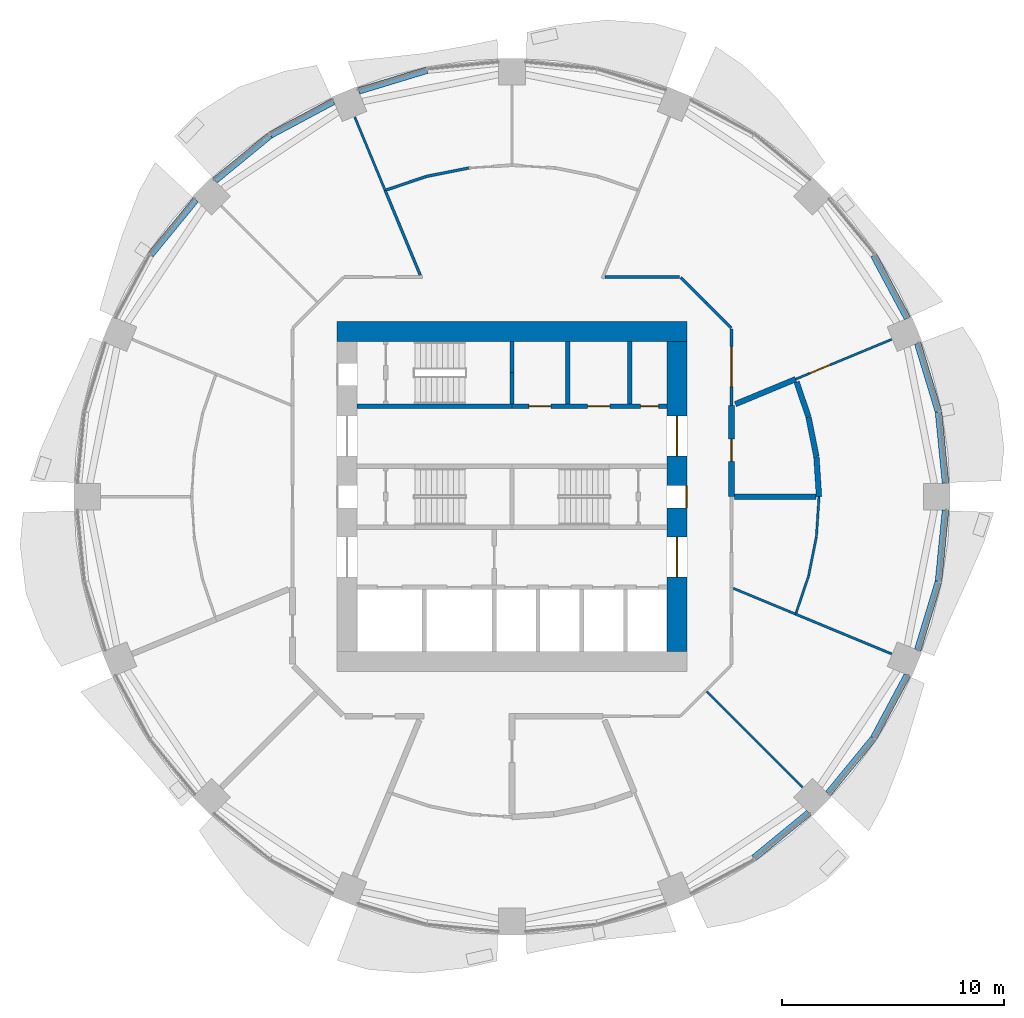
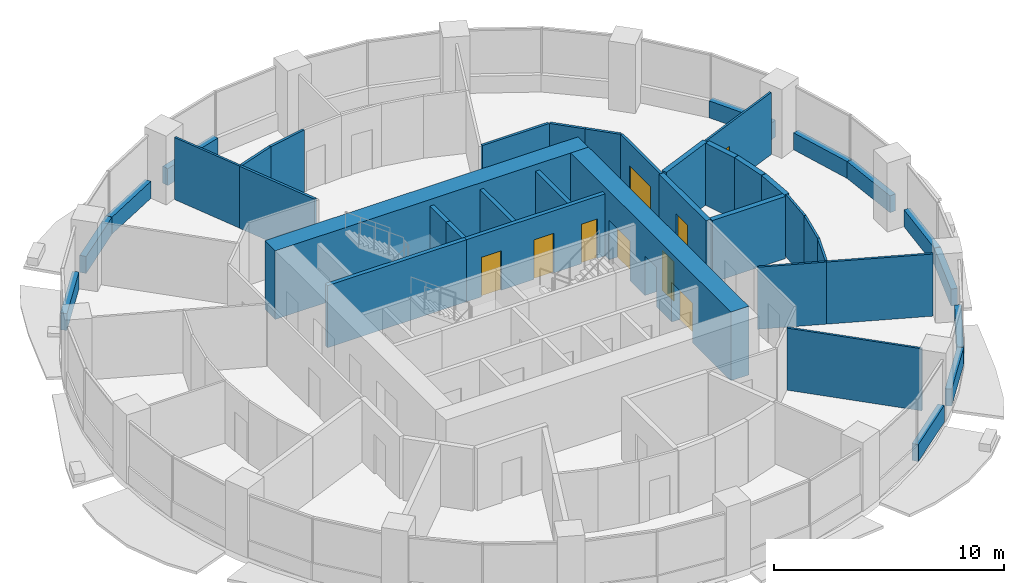
# One storey, part 10 of 15: 41 walls, 9 doors, 9 openings.
"""IFC4 building model written with IfcOpenShell, lengths in metres."""

from ifc_helpers import new_model, si_unit, direction, frame, frame_2d, origin, place, context, subcontext, project, spatial, rectangle, extrude, material, layer, layer_set, type_object, element, fill, save


model = new_model("IFC4")

# Units and contexts
model_context = context("Model", 3, precision=1e-05, world=origin(), true_north=direction((0.0, 1.0)))
body_context = subcontext(model_context, "Body", "Model", "MODEL_VIEW")
ifc_project = project(units=[si_unit("LENGTHUNIT", "METRE"), si_unit("AREAUNIT", "SQUARE_METRE"), si_unit("VOLUMEUNIT", "CUBIC_METRE"), si_unit("PLANEANGLEUNIT", "RADIAN"), si_unit("MASSUNIT", "GRAM", prefix="KILO")], contexts=[model_context])

# Site, building, storey
site_placement = place(None, origin())
site = spatial("IfcSite", under=ifc_project, at=site_placement, CompositionType="ELEMENT")
building_placement = place(site_placement, origin())
building = spatial("IfcBuilding", under=site, at=building_placement, Name="Polderwave Tower", CompositionType="ELEMENT")
storey_placement = place(building_placement, frame((0.0, 0.0, 44.449951171875)))
storey = spatial("IfcBuildingStorey", under=building, at=storey_placement, Name="L11", CompositionType="ELEMENT", Elevation=44.449951171875)

# Wall
ifc_material_1 = material(Name="Concrete C80/95", Category="concrete")
ifc_layer_1 = layer(ifc_material_1, 0.89990234375)
ifc_layer_set_1 = layer_set([ifc_layer_1], Name="CORE WALL 900 C80/95")
wall_type_1 = type_object("IfcWallType", Name="CORE WALL 900 C80/95", PredefinedType="SHEAR", material=ifc_layer_set_1)
wall_1_placement = place(storey_placement, frame((-7.8740234375, 7.424072265625, 0.0), z_axis=(0.0, 0.0, 1.0), x_axis=(1.0, 0.0, 0.0)))
element("IfcWall", 1, at=wall_1_placement, inside=storey, type_object=wall_type_1, Name="ST-CORE-L11-N", PredefinedType="SHEAR", context=body_context, shape_type="SweptSolid", body=[
    extrude(rectangle(XDim=15.748046875, YDim=0.89990234375, at=frame_2d((7.8740234375, 0.0))), origin(), (0.0, 0.0, 1.0), 3.650146484375),
])

# Wall, openings, doors
wall_2_placement = place(storey_placement, frame((7.424072265625, -6.97412109375, 0.0), z_axis=(0.0, 0.0, 1.0), x_axis=(0.0, 1.0, 0.0)))
wall_2 = element("IfcWall", 2, at=wall_2_placement, inside=storey, type_object=wall_type_1, Name="ST-CORE-L11-E", PredefinedType="SHEAR", context=body_context, shape_type="SweptSolid", body=[
    extrude(rectangle(XDim=13.9482421875, YDim=0.89990234375, at=frame_2d((6.97412109375, 0.0))), origin(), (0.0, 0.0, 1.0), 3.650146484375),
])
opening_1_placement = place(wall_2_placement, frame((6.47412109375, 0.0, 0.0)))
opening_1 = element("IfcOpeningElement", 3, at=opening_1_placement, cuts=wall_2, Name="Opening L11-D21", PredefinedType="OPENING", context=body_context, shape_type="SweptSolid", body=[
    extrude(rectangle(XDim=1.0, YDim=2.10009765625, at=frame_2d((0.5, 1.050048828125))), frame((0.0, 0.4599609375, 0.0), z_axis=(0.0, -1.0, 0.0), x_axis=(1.0, 0.0, 0.0)), (0.0, 0.0, 1.0), 0.919921875),
])
opening_2_placement = place(wall_2_placement, frame((3.349609375, 0.0, 0.0)))
opening_2 = element("IfcOpeningElement", 4, at=opening_2_placement, cuts=wall_2, Name="Opening L11-D22", PredefinedType="OPENING", context=body_context, shape_type="SweptSolid", body=[
    extrude(rectangle(XDim=1.800048828125, YDim=2.10009765625, at=frame_2d((0.89990234375, 1.050048828125))), frame((0.0, 0.4599609375, 0.0), z_axis=(0.0, -1.0, 0.0), x_axis=(1.0, 0.0, 0.0)), (0.0, 0.0, 1.0), 0.919921875),
])
opening_3_placement = place(wall_2_placement, frame((8.798583984375, 0.0, 0.0)))
opening_3 = element("IfcOpeningElement", 5, at=opening_3_placement, cuts=wall_2, Name="Opening L11-D23", PredefinedType="OPENING", context=body_context, shape_type="SweptSolid", body=[
    extrude(rectangle(XDim=1.800048828125, YDim=2.10009765625, at=frame_2d((0.89990234375, 1.050048828125))), frame((0.0, 0.4599609375, 0.0), z_axis=(0.0, -1.0, 0.0), x_axis=(1.0, 0.0, 0.0)), (0.0, 0.0, 1.0), 0.919921875),
])
ifc_material_2 = material(Name="Steel fire door", Category="steel")
door_type_1 = type_object("IfcDoorType", Name="Lobby entry door pair 1800", OperationType="DOUBLE_DOOR_SINGLE_SWING", PredefinedType="DOOR", material=ifc_material_2)
door_1_placement = place(opening_2_placement, frame((1.800048828125, 0.0, 0.0), z_axis=(0.0, 0.0, 1.0), x_axis=(-1.0, 0.0, 0.0)))
door_1 = element("IfcDoor", 6, at=door_1_placement, inside=storey, type_object=door_type_1, Name="South lobby entry door", OperationType="DOUBLE_DOOR_SINGLE_SWING", OverallHeight=2.10009765625, OverallWidth=1.800048828125, PredefinedType="DOOR", context=body_context, shape_type="SweptSolid", body=[
    extrude(rectangle(XDim=1.800048828125, YDim=2.10009765625, at=frame_2d((0.89990234375, 1.050048828125))), frame((0.0, 0.02490234375, 0.0), z_axis=(0.0, -1.0, 0.0), x_axis=(1.0, 0.0, 0.0)), (0.0, 0.0, 1.0), 0.050048828125),
])
fill(opening_2, door_1)
door_2_placement = place(opening_3_placement, frame((1.800048828125, 0.0, 0.0), z_axis=(0.0, 0.0, 1.0), x_axis=(-1.0, 0.0, 0.0)))
door_2 = element("IfcDoor", 7, at=door_2_placement, inside=storey, type_object=door_type_1, Name="North lobby entry door", OperationType="DOUBLE_DOOR_SINGLE_SWING", OverallHeight=2.10009765625, OverallWidth=1.800048828125, PredefinedType="DOOR", context=body_context, shape_type="SweptSolid", body=[
    extrude(rectangle(XDim=1.800048828125, YDim=2.10009765625, at=frame_2d((0.89990234375, 1.050048828125))), frame((0.0, 0.02490234375, 0.0), z_axis=(0.0, -1.0, 0.0), x_axis=(1.0, 0.0, 0.0)), (0.0, 0.0, 1.0), 0.050048828125),
])
fill(opening_3, door_2)
door_type_2 = type_object("IfcDoorType", Name="Stair door 1000", OperationType="NOTDEFINED", PredefinedType="DOOR", material=ifc_material_2)
door_3_placement = place(opening_1_placement, frame((1.0, 0.0, 0.0), z_axis=(0.0, 0.0, 1.0), x_axis=(-1.0, 0.0, 0.0)))
door_3 = element("IfcDoor", 8, at=door_3_placement, inside=storey, type_object=door_type_2, Name="Stair B entry door", OperationType="SINGLE_SWING_LEFT", OverallHeight=2.10009765625, OverallWidth=1.0, PredefinedType="DOOR", context=body_context, shape_type="SweptSolid", body=[
    extrude(rectangle(XDim=1.0, YDim=2.10009765625, at=frame_2d((0.5, 1.050048828125))), frame((0.0, 0.4501953125, 0.0), z_axis=(0.0, -1.0, 0.0), x_axis=(1.0, 0.0, 0.0)), (0.0, 0.0, 1.0), 0.050048828125),
])
fill(opening_1, door_3)

# Walls
ifc_material_3 = material(Name="Concrete C50/60 (board-marked)", Category="concrete")
ifc_layer_2 = layer(ifc_material_3, 0.300048828125)
ifc_layer_set_2 = layer_set([ifc_layer_2], Name="Concrete spandrel upstand C50/60")
wall_type_2 = type_object("IfcWallType", Name="Concrete spandrel upstand C50/60", PredefinedType="SOLIDWALL", material=ifc_layer_set_2)
wall_3_placement = place(storey_placement, frame((19.49951171875, 0.61279296875, 0.0), z_axis=(0.0, 0.0, 1.0), x_axis=(-0.098002102993, 0.995186207606, 0.0)))
element("IfcWall", 9, at=wall_3_placement, inside=storey, type_object=wall_type_2, Name="Spandrel L11 1a", PredefinedType="SOLIDWALL", context=body_context, shape_type="SweptSolid", body=[
    extrude(rectangle(XDim=3.20361328125, YDim=0.300048828125, at=frame_2d((1.601806640625, 0.0))), origin(), (0.0, 0.0, 1.0), 0.900146484375),
])
wall_4_placement = place(storey_placement, frame((19.1796875, 3.830322265625, 0.0), z_axis=(0.0, 0.0, 1.0), x_axis=(-0.290472877795, 0.956883225512, 0.0)))
element("IfcWall", 10, at=wall_4_placement, inside=storey, type_object=wall_type_2, Name="Spandrel L11 1b", PredefinedType="SOLIDWALL", context=body_context, shape_type="SweptSolid", body=[
    extrude(rectangle(XDim=3.202392578125, YDim=0.300048828125, at=frame_2d((1.60107421875, 0.0))), origin(), (0.0, 0.0, 1.0), 0.900146484375),
])
wall_5_placement = place(storey_placement, frame((17.77978515625, 8.0283203125, 0.0), z_axis=(0.0, 0.0, 1.0), x_axis=(-0.471284265614, 0.881981372243, 0.0)))
element("IfcWall", 11, at=wall_5_placement, inside=storey, type_object=wall_type_2, Name="Spandrel L11 2a", PredefinedType="SOLIDWALL", context=body_context, shape_type="SweptSolid", body=[
    extrude(rectangle(XDim=3.20361328125, YDim=0.300048828125, at=frame_2d((1.601806640625, 0.0))), origin(), (0.0, 0.0, 1.0), 0.900146484375),
])
wall_6_placement = place(storey_placement, frame((-3.830322265625, 19.1796875, 0.0), z_axis=(0.0, 0.0, 1.0), x_axis=(-0.956883225512, -0.290472877795, 0.0)))
element("IfcWall", 12, at=wall_6_placement, inside=storey, type_object=wall_type_2, Name="Spandrel L11 5b", PredefinedType="SOLIDWALL", context=body_context, shape_type="SweptSolid", body=[
    extrude(rectangle(XDim=3.202392578125, YDim=0.300048828125, at=frame_2d((1.60107421875, 0.0))), origin(), (0.0, 0.0, 1.0), 0.900146484375),
])
wall_7_placement = place(storey_placement, frame((-8.0283203125, 17.77978515625, 0.0), z_axis=(0.0, 0.0, 1.0), x_axis=(-0.881981372243, -0.471284265614, 0.0)))
element("IfcWall", 13, at=wall_7_placement, inside=storey, type_object=wall_type_2, Name="Spandrel L11 6a", PredefinedType="SOLIDWALL", context=body_context, shape_type="SweptSolid", body=[
    extrude(rectangle(XDim=3.20361328125, YDim=0.300048828125, at=frame_2d((1.601806640625, 0.0))), origin(), (0.0, 0.0, 1.0), 0.900146484375),
])
for number, where, z_axis, x_axis, name in (
    (14, (-10.878662109375, 16.25341796875, 0.0), (0.0, 0.0, 1.0), (-0.773141427091, -0.634233658611, 0.0), "Spandrel L11 6b"),
    (15, (-14.222412109375, 13.3544921875, 0.0), (0.0, 0.0, 1.0), (-0.634233658611, -0.773141427091, 0.0), "Spandrel L11 7a"),
    (16, (10.878662109375, -16.25341796875, 0.0), (0.0, 0.0, 1.0), (0.773141427091, 0.634233658611, 0.0), "Spandrel L11 14b"),
    (17, (14.222412109375, -13.3544921875, 0.0), (0.0, 0.0, 1.0), (0.634233658611, 0.773141427091, 0.0), "Spandrel L11 15a"),
):
    element("IfcWall", number, at=place(storey_placement, frame(where, z_axis=z_axis, x_axis=x_axis)), inside=storey, type_object=wall_type_2, Name=name, PredefinedType="SOLIDWALL", context=body_context, shape_type="SweptSolid", body=[
        extrude(rectangle(XDim=3.202392578125, YDim=0.300048828125, at=frame_2d((1.60107421875, 0.0))), origin(), (0.0, 0.0, 1.0), 0.900146484375),
    ])
wall_8_placement = place(storey_placement, frame((16.27001953125, -10.853759765625, 0.0), z_axis=(0.0, 0.0, 1.0), x_axis=(0.471284265614, 0.881981372243, 0.0)))
element("IfcWall", 18, at=wall_8_placement, inside=storey, type_object=wall_type_2, Name="Spandrel L11 15b", PredefinedType="SOLIDWALL", context=body_context, shape_type="SweptSolid", body=[
    extrude(rectangle(XDim=3.20361328125, YDim=0.300048828125, at=frame_2d((1.601806640625, 0.0))), origin(), (0.0, 0.0, 1.0), 0.900146484375),
])
wall_9_placement = place(storey_placement, frame((18.24951171875, -6.89453125, 0.0), z_axis=(0.0, 0.0, 1.0), x_axis=(0.290472877795, 0.956883225512, 0.0)))
element("IfcWall", 19, at=wall_9_placement, inside=storey, type_object=wall_type_2, Name="Spandrel L11 16a", PredefinedType="SOLIDWALL", context=body_context, shape_type="SweptSolid", body=[
    extrude(rectangle(XDim=3.202392578125, YDim=0.300048828125, at=frame_2d((1.60107421875, 0.0))), origin(), (0.0, 0.0, 1.0), 0.900146484375),
])
wall_10_placement = place(storey_placement, frame((19.185546875, -3.801025390625, 0.0), z_axis=(0.0, 0.0, 1.0), x_axis=(0.098002102993, 0.995186207606, 0.0)))
element("IfcWall", 20, at=wall_10_placement, inside=storey, type_object=wall_type_2, Name="Spandrel L11 16b", PredefinedType="SOLIDWALL", context=body_context, shape_type="SweptSolid", body=[
    extrude(rectangle(XDim=3.20361328125, YDim=0.300048828125, at=frame_2d((1.601806640625, 0.0))), origin(), (0.0, 0.0, 1.0), 0.900146484375),
])
ifc_material_4 = material(Name="Gypsum board partition")
ifc_layer_3 = layer(ifc_material_4, 0.199951171875)
ifc_layer_set_3 = layer_set([ifc_layer_3], Name="Core room partition 200")
wall_type_3 = type_object("IfcWallType", Name="Core room partition 200", PredefinedType="PARTITIONING", material=ifc_layer_set_3)
wall_11_placement = place(storey_placement, frame((2.508544921875, 4.174072265625, 0.0), z_axis=(0.0, 0.0, 1.0), x_axis=(0.0, 1.0, 0.0)))
element("IfcWall", 21, at=wall_11_placement, inside=storey, type_object=wall_type_3, Name="L11 room partition N1", PredefinedType="PARTITIONING", context=body_context, shape_type="SweptSolid", body=[
    extrude(rectangle(XDim=2.800048828125, YDim=0.199951171875, at=frame_2d((1.39990234375, 0.0))), origin(), (0.0, 0.0, 1.0), 3.300048828125),
])
ifc_material_5 = material(Name="Concrete C50/60", Category="concrete")
ifc_layer_4 = layer(ifc_material_5, 0.199951171875)
ifc_layer_set_4 = layer_set([ifc_layer_4], Name="Core web wall 200")
wall_type_4 = type_object("IfcWallType", Name="Core web wall 200", PredefinedType="SHEAR", material=ifc_layer_set_4)
wall_12_placement = place(storey_placement, frame((-6.97412109375, 4.073974609375, 0.0), z_axis=(0.0, 0.0, 1.0), x_axis=(1.0, 0.0, 0.0)))
element("IfcWall", 22, at=wall_12_placement, inside=storey, type_object=wall_type_4, Name="L11 north front wall 1", PredefinedType="SHEAR", context=body_context, shape_type="SweptSolid", body=[
    extrude(rectangle(XDim=6.97412109375, YDim=0.199951171875, at=frame_2d((3.487060546875, 0.0))), origin(), (0.0, 0.0, 1.0), 3.300048828125),
])

# Wall, openings, doors
wall_13_placement = place(storey_placement, frame((0.0, 4.073974609375, 0.0), z_axis=(0.0, 0.0, 1.0), x_axis=(1.0, 0.0, 0.0)))
wall_13 = element("IfcWall", 23, at=wall_13_placement, inside=storey, type_object=wall_type_4, Name="L11 north front wall 2", PredefinedType="SHEAR", context=body_context, shape_type="SweptSolid", body=[
    extrude(rectangle(XDim=6.97412109375, YDim=0.199951171875, at=frame_2d((3.487060546875, 0.0))), origin(), (0.0, 0.0, 1.0), 3.300048828125),
])
opening_4_placement = place(wall_13_placement, frame((0.754150390625, 0.0, 0.0)))
opening_4 = element("IfcOpeningElement", 24, at=opening_4_placement, cuts=wall_13, Name="Opening L11-D14", PredefinedType="OPENING", context=body_context, shape_type="SweptSolid", body=[
    extrude(rectangle(XDim=1.0, YDim=2.10009765625, at=frame_2d((0.5, 1.050048828125))), frame((0.0, 0.10986328125, 0.0), z_axis=(0.0, -1.0, 0.0), x_axis=(1.0, 0.0, 0.0)), (0.0, 0.0, 1.0), 0.219970703125),
])
opening_5_placement = place(wall_13_placement, frame((3.406982421875, 0.0, 0.0)))
opening_5 = element("IfcOpeningElement", 25, at=opening_5_placement, cuts=wall_13, Name="Opening L11-D15", PredefinedType="OPENING", context=body_context, shape_type="SweptSolid", body=[
    extrude(rectangle(XDim=1.0, YDim=2.10009765625, at=frame_2d((0.5, 1.050048828125))), frame((0.0, 0.10986328125, 0.0), z_axis=(0.0, -1.0, 0.0), x_axis=(1.0, 0.0, 0.0)), (0.0, 0.0, 1.0), 0.219970703125),
])
opening_6_placement = place(wall_13_placement, frame((5.789794921875, 0.0, 0.0)))
opening_6 = element("IfcOpeningElement", 26, at=opening_6_placement, cuts=wall_13, Name="Opening L11-D16", PredefinedType="OPENING", context=body_context, shape_type="SweptSolid", body=[
    extrude(rectangle(XDim=0.800048828125, YDim=2.10009765625, at=frame_2d((0.39990234375, 1.050048828125))), frame((0.0, 0.10986328125, 0.0), z_axis=(0.0, -1.0, 0.0), x_axis=(1.0, 0.0, 0.0)), (0.0, 0.0, 1.0), 0.219970703125),
])
ifc_material_6 = material(Name="Timber door leaf", Category="wood")
door_type_3 = type_object("IfcDoorType", Name="Accessible WC door 1000", OperationType="NOTDEFINED", PredefinedType="DOOR", material=ifc_material_6)
door_4_placement = place(opening_4_placement, origin())
door_4 = element("IfcDoor", 27, at=door_4_placement, inside=storey, type_object=door_type_3, Name="Accessible WC door", OperationType="SINGLE_SWING_LEFT", OverallHeight=2.10009765625, OverallWidth=1.0, PredefinedType="DOOR", context=body_context, shape_type="SweptSolid", body=[
    extrude(rectangle(XDim=1.0, YDim=2.10009765625, at=frame_2d((0.5, 1.050048828125))), frame((0.0, 0.02490234375, 0.0), z_axis=(0.0, -1.0, 0.0), x_axis=(1.0, 0.0, 0.0)), (0.0, 0.0, 1.0), 0.050048828125),
])
fill(opening_4, door_4)
door_type_4 = type_object("IfcDoorType", Name="Riser door 800", OperationType="NOTDEFINED", PredefinedType="DOOR", material=ifc_material_2)
door_5_placement = place(opening_6_placement, frame((0.800048828125, 0.0, 0.0), z_axis=(0.0, 0.0, 1.0), x_axis=(-1.0, 0.0, 0.0)))
door_5 = element("IfcDoor", 28, at=door_5_placement, inside=storey, type_object=door_type_4, Name="Riser door", OperationType="SINGLE_SWING_LEFT", OverallHeight=2.10009765625, OverallWidth=0.800048828125, PredefinedType="DOOR", context=body_context, shape_type="SweptSolid", body=[
    extrude(rectangle(XDim=0.800048828125, YDim=2.10009765625, at=frame_2d((0.39990234375, 1.050048828125))), frame((0.0, 0.02490234375, 0.0), z_axis=(0.0, -1.0, 0.0), x_axis=(1.0, 0.0, 0.0)), (0.0, 0.0, 1.0), 0.050048828125),
])
fill(opening_6, door_5)
door_type_5 = type_object("IfcDoorType", Name="Room door 1000", OperationType="NOTDEFINED", PredefinedType="DOOR", material=ifc_material_6)
door_6_placement = place(opening_5_placement, origin())
door_6 = element("IfcDoor", 29, at=door_6_placement, inside=storey, type_object=door_type_5, Name="Nutrient dosing room door", OperationType="SINGLE_SWING_RIGHT", OverallHeight=2.10009765625, OverallWidth=1.0, PredefinedType="DOOR", context=body_context, shape_type="SweptSolid", body=[
    extrude(rectangle(XDim=1.0, YDim=2.10009765625, at=frame_2d((0.5, 1.050048828125))), frame((0.0, 0.02490234375, 0.0), z_axis=(0.0, -1.0, 0.0), x_axis=(1.0, 0.0, 0.0)), (0.0, 0.0, 1.0), 0.050048828125),
])
fill(opening_5, door_6)

# Walls
wall_14_placement = place(storey_placement, frame((0.0, 4.174072265625, 0.0), z_axis=(0.0, 0.0, 1.0), x_axis=(0.0, 1.0, 0.0)))
element("IfcWall", 30, at=wall_14_placement, inside=storey, type_object=wall_type_4, Name="L11 stair C wall south", PredefinedType="SHEAR", context=body_context, shape_type="SweptSolid", body=[
    extrude(rectangle(XDim=1.39990234375, YDim=0.199951171875, at=frame_2d((0.699951171875, 0.0))), origin(), (0.0, 0.0, 1.0), 3.300048828125),
])
wall_15_placement = place(storey_placement, frame((0.0, 5.573974609375, 0.0), z_axis=(0.0, 0.0, 1.0), x_axis=(0.0, 1.0, 0.0)))
element("IfcWall", 31, at=wall_15_placement, inside=storey, type_object=wall_type_4, Name="L11 stair C wall north", PredefinedType="SHEAR", context=body_context, shape_type="SweptSolid", body=[
    extrude(rectangle(XDim=1.400146484375, YDim=0.199951171875, at=frame_2d((0.7001953125, 0.0))), origin(), (0.0, 0.0, 1.0), 3.300048828125),
])
ifc_material_7 = material(Name="Fire-resisting board on steel studs", Category="steel")
ifc_layer_5 = layer(ifc_material_7, 0.125)
ifc_layer_set_5 = layer_set([ifc_layer_5], Name="Corridor wall 125 mm EI 60")
wall_type_5 = type_object("IfcWallType", Name="Corridor wall 125 mm EI 60", PredefinedType="PARTITIONING", material=ifc_layer_set_5)
wall_16_placement = place(storey_placement, frame((8.722412109375, 8.722412109375, 0.0), z_axis=(0.0, 0.0, 1.0), x_axis=(0.70718294931, -0.707030604857, 0.0)))
element("IfcWall", 32, at=wall_16_placement, inside=storey, type_object=wall_type_5, Name="IN-L11-W002", PredefinedType="PARTITIONING", context=body_context, shape_type="SweptSolid", body=[
    extrude(rectangle(XDim=1.6025390625, YDim=0.125, at=frame_2d((0.80126953125, 0.0))), origin(), (0.0, 0.0, 1.0), 3.300048828125),
])

# Wall, opening, door
wall_17_placement = place(storey_placement, frame((9.8740234375, 7.545166015625, 0.0), z_axis=(0.0, 0.0, 1.0), x_axis=(0.0, -1.0, 0.0)))
wall_17 = element("IfcWall", 33, at=wall_17_placement, inside=storey, type_object=wall_type_5, Name="IN-L11-W003", PredefinedType="PARTITIONING", context=body_context, shape_type="SweptSolid", body=[
    extrude(rectangle(XDim=3.455322265625, YDim=0.125, at=frame_2d((1.7275390625, 0.0))), origin(), (0.0, 0.0, 1.0), 3.300048828125),
])
opening_7_placement = place(wall_17_placement, frame((0.800048828125, 0.0, 0.0)))
opening_7 = element("IfcOpeningElement", 34, at=opening_7_placement, cuts=wall_17, Name="Opening L11-D51", PredefinedType="OPENING", context=body_context, shape_type="SweptSolid", body=[
    extrude(rectangle(XDim=1.800048828125, YDim=2.10009765625, at=frame_2d((0.89990234375, 1.050048828125))), frame((0.0, 0.072509765625, 0.0), z_axis=(0.0, -1.0, 0.0), x_axis=(1.0, 0.0, 0.0)), (0.0, 0.0, 1.0), 0.14501953125),
])
ifc_material_8 = material(Name="Timber fire door leaves", Category="wood")
door_type_6 = type_object("IfcDoorType", Name="Double fire door FD30S 1800 x 2100", OperationType="NOTDEFINED", PredefinedType="DOOR", material=ifc_material_8)
door_7_placement = place(opening_7_placement, origin())
door_7 = element("IfcDoor", 35, at=door_7_placement, inside=storey, type_object=door_type_6, Name="Door L11-D51", OperationType="DOUBLE_DOOR_SINGLE_SWING", OverallHeight=2.10009765625, OverallWidth=1.800048828125, PredefinedType="DOOR", context=body_context, shape_type="SweptSolid", body=[
    extrude(rectangle(XDim=1.800048828125, YDim=2.10009765625, at=frame_2d((0.89990234375, 1.050048828125))), frame((0.0, 0.02490234375, 0.0), z_axis=(0.0, -1.0, 0.0), x_axis=(1.0, 0.0, 0.0)), (0.0, 0.0, 1.0), 0.050048828125),
])
fill(opening_7, door_7)

# Walls
wall_18_placement = place(storey_placement, frame((4.183349609375, 9.8740234375, 0.0), z_axis=(0.0, 0.0, 1.0), x_axis=(1.0, 0.0, 0.0)))
element("IfcWall", 36, at=wall_18_placement, inside=storey, type_object=wall_type_5, Name="IN-L11-W007", PredefinedType="PARTITIONING", context=body_context, shape_type="SweptSolid", body=[
    extrude(rectangle(XDim=3.36181640625, YDim=0.125, at=frame_2d((1.680908203125, 0.0))), origin(), (0.0, 0.0, 1.0), 3.300048828125),
])
wall_19_placement = place(storey_placement, frame((7.58935546875, 9.855712890625, 0.0), z_axis=(0.0, 0.0, 1.0), x_axis=(0.707030604857, -0.70718294931, 0.0)))
element("IfcWall", 37, at=wall_19_placement, inside=storey, type_object=wall_type_5, Name="IN-L11-W008", PredefinedType="PARTITIONING", context=body_context, shape_type="SweptSolid", body=[
    extrude(rectangle(XDim=1.6025390625, YDim=0.125, at=frame_2d((0.80126953125, 0.0))), origin(), (0.0, 0.0, 1.0), 3.300048828125),
])
wall_20_placement = place(storey_placement, frame((-5.642578125, 13.796630859375, 0.0), z_axis=(0.0, 0.0, 1.0), x_axis=(0.94695470169, 0.321367068859, 0.0)))
element("IfcWall", 38, at=wall_20_placement, inside=storey, type_object=wall_type_5, Name="IN-L11-W037", PredefinedType="PARTITIONING", context=body_context, shape_type="SweptSolid", body=[
    extrude(rectangle(XDim=1.87939453125, YDim=0.125, at=frame_2d((0.939697265625, 0.0))), origin(), (0.0, 0.0, 1.0), 3.300048828125),
])
wall_21_placement = place(storey_placement, frame((-3.85498046875, 14.40283203125, 0.0), z_axis=(0.0, 0.0, 1.0), x_axis=(0.980807266515, 0.194979757801, 0.0)))
element("IfcWall", 39, at=wall_21_placement, inside=storey, type_object=wall_type_5, Name="IN-L11-W038", PredefinedType="PARTITIONING", context=body_context, shape_type="SweptSolid", body=[
    extrude(rectangle(XDim=1.942138671875, YDim=0.125, at=frame_2d((0.97119140625, 0.0))), origin(), (0.0, 0.0, 1.0), 3.300048828125),
])
wall_22_placement = place(storey_placement, frame((-4.125732421875, 9.96044921875, 0.0), z_axis=(0.0, 0.0, 1.0), x_axis=(-0.382699951867, 0.923872689736, 0.0)))
element("IfcWall", 40, at=wall_22_placement, inside=storey, type_object=wall_type_5, Name="IN-L11-W040", PredefinedType="PARTITIONING", context=body_context, shape_type="SweptSolid", body=[
    extrude(rectangle(XDim=4.128662109375, YDim=0.125, at=frame_2d((2.064453125, 0.0))), origin(), (0.0, 0.0, 1.0), 3.300048828125),
])

# Wall, opening, door
ifc_material_9 = material(Name="Plasterboard on steel studs", Category="steel")
ifc_layer_6 = layer(ifc_material_9, 0.10009765625)
ifc_layer_set_6 = layer_set([ifc_layer_6], Name="Partition 100 mm plasterboard on steel studs")
wall_type_6 = type_object("IfcWallType", Name="Partition 100 mm plasterboard on steel studs", PredefinedType="PARTITIONING", material=ifc_layer_set_6)
wall_23_placement = place(storey_placement, frame((17.0732421875, 7.072021484375, 0.0), z_axis=(0.0, 0.0, 1.0), x_axis=(-0.92387920118, -0.382684232268, 0.0)))
wall_23 = element("IfcWall", 41, at=wall_23_placement, inside=storey, type_object=wall_type_6, Name="IN-L11-W024", PredefinedType="PARTITIONING", context=body_context, shape_type="SweptSolid", body=[
    extrude(rectangle(XDim=4.669921875, YDim=0.10009765625, at=frame_2d((2.3349609375, 0.0))), origin(), (0.0, 0.0, 1.0), 3.300048828125),
])
opening_8_placement = place(wall_23_placement, frame((3.0, 0.0, 0.0)))
opening_8 = element("IfcOpeningElement", 42, at=opening_8_placement, cuts=wall_23, Name="Opening L11-D60", PredefinedType="OPENING", context=body_context, shape_type="SweptSolid", body=[
    extrude(rectangle(XDim=1.0, YDim=2.10009765625, at=frame_2d((0.5, 1.050048828125))), frame((0.0, 0.06005859375, 0.0), z_axis=(0.0, -1.0, 0.0), x_axis=(1.0, 0.0, 0.0)), (0.0, 0.0, 1.0), 0.1201171875),
])
ifc_material_10 = material(Name="Timber veneer door leaf", Category="wood")
door_type_7 = type_object("IfcDoorType", Name="Single door 1000 x 2100", OperationType="NOTDEFINED", PredefinedType="DOOR", material=ifc_material_10)
door_8_placement = place(opening_8_placement, origin())
door_8 = element("IfcDoor", 43, at=door_8_placement, inside=storey, type_object=door_type_7, Name="Door L11-D60", OperationType="SINGLE_SWING_RIGHT", OverallHeight=2.10009765625, OverallWidth=1.0, PredefinedType="DOOR", context=body_context, shape_type="SweptSolid", body=[
    extrude(rectangle(XDim=1.0, YDim=2.10009765625, at=frame_2d((0.5, 1.050048828125))), frame((0.0, 0.02490234375, 0.0), z_axis=(0.0, -1.0, 0.0), x_axis=(1.0, 0.0, 0.0)), (0.0, 0.0, 1.0), 0.050048828125),
])
fill(opening_8, door_8)

# Walls
ifc_material_11 = material(Name="Moisture-resistant board on steel studs, tiled", Category="steel")
ifc_layer_7 = layer(ifc_material_11, 0.10498046875)
ifc_layer_set_7 = layer_set([ifc_layer_7], Name="Partition 105 mm wet room board and tile")
wall_type_7 = type_object("IfcWallType", Name="Partition 105 mm wet room board and tile", PredefinedType="PARTITIONING", material=ifc_layer_set_7)
wall_24_placement = place(storey_placement, frame((12.777587890625, -5.229248046875, 0.0), z_axis=(0.0, 0.0, 1.0), x_axis=(0.321513757885, 0.946904907311, 0.0)))
element("IfcWall", 44, at=wall_24_placement, inside=storey, type_object=wall_type_7, Name="IN-L11-W026", PredefinedType="PARTITIONING", context=body_context, shape_type="SweptSolid", body=[
    extrude(rectangle(XDim=1.744140625, YDim=0.10498046875, at=frame_2d((0.8720703125, 0.0))), origin(), (0.0, 0.0, 1.0), 3.300048828125),
])
wall_25_placement = place(storey_placement, frame((13.340087890625, -3.57080078125, 0.0), z_axis=(0.0, 0.0, 1.0), x_axis=(0.195098478373, 0.980783657968, 0.0)))
element("IfcWall", 45, at=wall_25_placement, inside=storey, type_object=wall_type_7, Name="IN-L11-W027", PredefinedType="PARTITIONING", context=body_context, shape_type="SweptSolid", body=[
    extrude(rectangle(XDim=1.799560546875, YDim=0.10498046875, at=frame_2d((0.89990234375, 0.0))), origin(), (0.0, 0.0, 1.0), 3.300048828125),
])
wall_26_placement = place(storey_placement, frame((13.692138671875, -1.79931640625, 0.0), z_axis=(0.0, 0.0, 1.0), x_axis=(0.065395671101, 0.997859412042, 0.0)))
element("IfcWall", 46, at=wall_26_placement, inside=storey, type_object=wall_type_7, Name="IN-L11-W028", PredefinedType="PARTITIONING", context=body_context, shape_type="SweptSolid", body=[
    extrude(rectangle(XDim=1.80322265625, YDim=0.10498046875, at=frame_2d((0.901611328125, 0.0))), origin(), (0.0, 0.0, 1.0), 3.300048828125),
])
wall_27_placement = place(storey_placement, frame((-5.705810546875, 13.775146484375, 0.0), z_axis=(0.0, 0.0, 1.0), x_axis=(-0.382706138858, 0.923870126847, 0.0)))
element("IfcWall", 47, at=wall_27_placement, inside=storey, type_object=wall_type_7, Name="IN-L11-W041", PredefinedType="PARTITIONING", context=body_context, shape_type="SweptSolid", body=[
    extrude(rectangle(XDim=3.56982421875, YDim=0.10498046875, at=frame_2d((1.784912109375, 0.0))), origin(), (0.0, 0.0, 1.0), 3.300048828125),
])
wall_28_placement = place(storey_placement, frame((8.7666015625, -8.7666015625, 0.0), z_axis=(0.0, 0.0, 1.0), x_axis=(0.707106781187, -0.707106781187, 0.0)))
element("IfcWall", 48, at=wall_28_placement, inside=storey, type_object=wall_type_7, Name="IN-L11-W066", PredefinedType="PARTITIONING", context=body_context, shape_type="SweptSolid", body=[
    extrude(rectangle(XDim=6.082275390625, YDim=0.10498046875, at=frame_2d((3.041015625, 0.0))), origin(), (0.0, 0.0, 1.0), 3.300048828125),
])
wall_29_placement = place(storey_placement, frame((9.95654296875, -4.1240234375, 0.0), z_axis=(0.0, 0.0, 1.0), x_axis=(0.923860842545, -0.382728550819, 0.0)))
element("IfcWall", 49, at=wall_29_placement, inside=storey, type_object=wall_type_7, Name="IN-L11-W067", PredefinedType="PARTITIONING", context=body_context, shape_type="SweptSolid", body=[
    extrude(rectangle(XDim=3.033203125, YDim=0.10498046875, at=frame_2d((1.5166015625, 0.0))), origin(), (0.0, 0.0, 1.0), 3.300048828125),
])
ifc_material_12 = material(Name="Acoustic double plasterboard on steel studs", Category="steel")
ifc_layer_8 = layer(ifc_material_12, 0.110107421875)
ifc_layer_set_8 = layer_set([ifc_layer_8], Name="Partition 110 mm acoustic double board")
wall_type_8 = type_object("IfcWallType", Name="Partition 110 mm acoustic double board", PredefinedType="PARTITIONING", material=ifc_layer_set_8)
wall_30_placement = place(storey_placement, frame((17.0732421875, -7.072021484375, 0.0), z_axis=(0.0, 0.0, 1.0), x_axis=(-0.92387920118, 0.382684232268, 0.0)))
element("IfcWall", 50, at=wall_30_placement, inside=storey, type_object=wall_type_8, Name="IN-L11-W025", PredefinedType="PARTITIONING", context=body_context, shape_type="SweptSolid", body=[
    extrude(rectangle(XDim=4.669921875, YDim=0.110107421875, at=frame_2d((2.3349609375, 0.0))), origin(), (0.0, 0.0, 1.0), 3.300048828125),
])

# Wall, opening, door
ifc_material_13 = material(Name="Fire-resisting board on steel studs, mineral wool", Category="steel")
ifc_layer_9 = layer(ifc_material_13, 0.25)
ifc_layer_set_9 = layer_set([ifc_layer_9], Name="Plant room wall 250 mm EI 120")
wall_type_9 = type_object("IfcWallType", Name="Plant room wall 250 mm EI 120", PredefinedType="PARTITIONING", material=ifc_layer_set_9)
wall_31_placement = place(storey_placement, frame((9.8740234375, 4.08984375, 0.0), z_axis=(0.0, 0.0, 1.0), x_axis=(0.0, -1.0, 0.0)))
wall_31 = element("IfcWall", 51, at=wall_31_placement, inside=storey, type_object=wall_type_9, Name="IN-L11-W001", PredefinedType="PARTITIONING", context=body_context, shape_type="SweptSolid", body=[
    extrude(rectangle(XDim=4.08984375, YDim=0.25, at=frame_2d((2.044921875, 0.0))), origin(), (0.0, 0.0, 1.0), 3.300048828125),
])
opening_9_placement = place(wall_31_placement, frame((1.5, 0.0, 0.0)))
opening_9 = element("IfcOpeningElement", 52, at=opening_9_placement, cuts=wall_31, Name="Opening L11-D50", PredefinedType="OPENING", context=body_context, shape_type="SweptSolid", body=[
    extrude(rectangle(XDim=1.0, YDim=2.10009765625, at=frame_2d((0.5, 1.050048828125))), frame((0.0, 0.135009765625, 0.0), z_axis=(0.0, -1.0, 0.0), x_axis=(1.0, 0.0, 0.0)), (0.0, 0.0, 1.0), 0.27001953125),
])
ifc_material_14 = material(Name="Steel plant door leaf", Category="steel")
door_type_8 = type_object("IfcDoorType", Name="Plant door FD60 1000 x 2100 steel", OperationType="NOTDEFINED", PredefinedType="DOOR", material=ifc_material_14)
door_9_placement = place(opening_9_placement, origin())
door_9 = element("IfcDoor", 53, at=door_9_placement, inside=storey, type_object=door_type_8, Name="Door L11-D50", OperationType="SINGLE_SWING_LEFT", OverallHeight=2.10009765625, OverallWidth=1.0, PredefinedType="DOOR", context=body_context, shape_type="SweptSolid", body=[
    extrude(rectangle(XDim=1.0, YDim=2.10009765625, at=frame_2d((0.5, 1.050048828125))), frame((0.0, 0.02490234375, 0.0), z_axis=(0.0, -1.0, 0.0), x_axis=(1.0, 0.0, 0.0)), (0.0, 0.0, 1.0), 0.050048828125),
])
fill(opening_9, door_9)

# Walls
wall_32_placement = place(storey_placement, frame((13.3369140625, 3.58203125, 0.0), z_axis=(0.0, 0.0, 1.0), x_axis=(-0.321458381335, 0.946923708157, 0.0)))
element("IfcWall", 54, at=wall_32_placement, inside=storey, type_object=wall_type_9, Name="IN-L11-W021", PredefinedType="PARTITIONING", context=body_context, shape_type="SweptSolid", body=[
    extrude(rectangle(XDim=1.664794921875, YDim=0.25, at=frame_2d((0.83251953125, 0.0))), origin(), (0.0, 0.0, 1.0), 3.300048828125),
])
wall_33_placement = place(storey_placement, frame((13.690185546875, 1.810546875, 0.0), z_axis=(0.0, 0.0, 1.0), x_axis=(-0.195014530736, 0.980800353182, 0.0)))
element("IfcWall", 55, at=wall_33_placement, inside=storey, type_object=wall_type_9, Name="IN-L11-W022", PredefinedType="PARTITIONING", context=body_context, shape_type="SweptSolid", body=[
    extrude(rectangle(XDim=1.790283203125, YDim=0.25, at=frame_2d((0.89501953125, 0.0))), origin(), (0.0, 0.0, 1.0), 3.300048828125),
])
wall_34_placement = place(storey_placement, frame((13.81005859375, 0.0, 0.0), z_axis=(0.0, 0.0, 1.0), x_axis=(-0.065437674742, 0.997856658406, 0.0)))
element("IfcWall", 56, at=wall_34_placement, inside=storey, type_object=wall_type_9, Name="IN-L11-W023", PredefinedType="PARTITIONING", context=body_context, shape_type="SweptSolid", body=[
    extrude(rectangle(XDim=1.79833984375, YDim=0.25, at=frame_2d((0.899169921875, 0.0))), origin(), (0.0, 0.0, 1.0), 3.300048828125),
])
wall_35_placement = place(storey_placement, frame((10.046875, 4.16162109375, 0.0), z_axis=(0.0, 0.0, 1.0), x_axis=(0.92388200997, 0.382677451195, 0.0)))
element("IfcWall", 57, at=wall_35_placement, inside=storey, type_object=wall_type_9, Name="IN-L11-W029", PredefinedType="PARTITIONING", context=body_context, shape_type="SweptSolid", body=[
    extrude(rectangle(XDim=2.935302734375, YDim=0.25, at=frame_2d((1.4677734375, 0.0))), origin(), (0.0, 0.0, 1.0), 3.300048828125),
])
wall_36_placement = place(storey_placement, frame((13.676513671875, 0.0, 0.0), z_axis=(0.0, 0.0, 1.0), x_axis=(-1.0, 0.0, 0.0)))
element("IfcWall", 58, at=wall_36_placement, inside=storey, type_object=wall_type_9, Name="IN-L11-W030", PredefinedType="PARTITIONING", context=body_context, shape_type="SweptSolid", body=[
    extrude(rectangle(XDim=3.677490234375, YDim=0.25, at=frame_2d((1.8388671875, 0.0))), origin(), (0.0, 0.0, 1.0), 3.300048828125),
])
ifc_material_15 = material(Name="Gypsum shaft wall system")
ifc_layer_10 = layer(ifc_material_15, 0.199951171875)
ifc_layer_set_10 = layer_set([ifc_layer_10], Name="Shaft wall 200")
wall_type_10 = type_object("IfcWallType", Name="Shaft wall 200", PredefinedType="PARTITIONING", material=ifc_layer_set_10)
wall_37_placement = place(storey_placement, frame((5.305419921875, 4.174072265625, 0.0), z_axis=(0.0, 0.0, 1.0), x_axis=(0.0, 1.0, 0.0)))
element("IfcWall", 59, at=wall_37_placement, inside=storey, type_object=wall_type_10, Name="L11 riser wall", PredefinedType="PARTITIONING", context=body_context, shape_type="SweptSolid", body=[
    extrude(rectangle(XDim=2.800048828125, YDim=0.199951171875, at=frame_2d((1.39990234375, 0.0))), origin(), (0.0, 0.0, 1.0), 3.300048828125),
])

save(model, "model.ifc")
